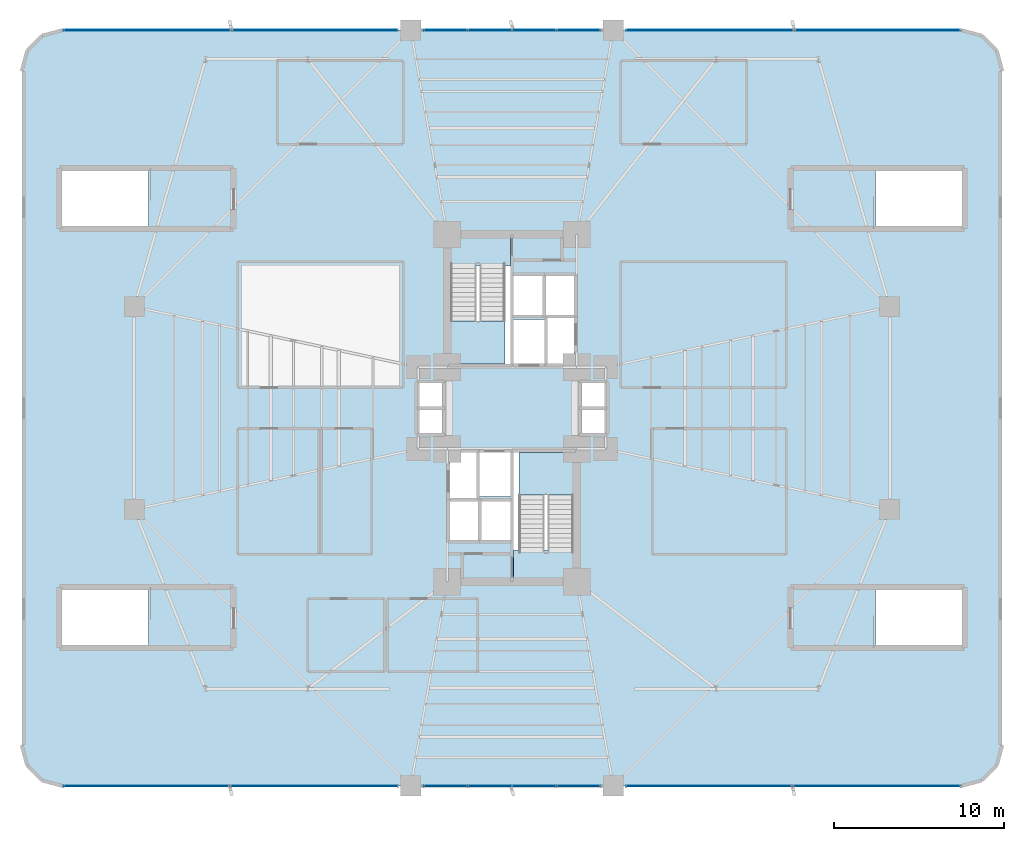
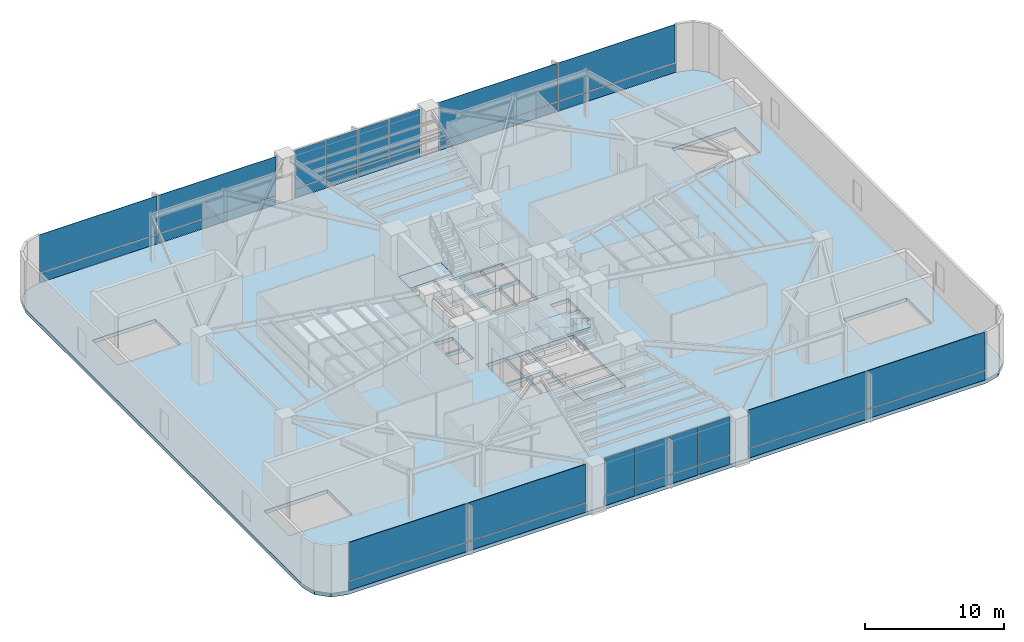
# One storey, part 19 of 26: 32 plates, 5 slabs, 8 elements without a shape of their own.
"""IFC4 building model written with IfcOpenShell, lengths in metres."""

from ifc_helpers import new_model, si_unit, direction, frame, origin, origin_2d, place, context, subcontext, project, spatial, polyline, rectangle, outline, extrude, source, transform, mapped, material, layer, layer_set, type_object, element, aggregate, save


model = new_model("IFC4")

# Units and contexts
model_context = context("Model", 3, precision=1e-05, world=origin(), true_north=direction((0.0, 1.0)))
body_context = subcontext(model_context, "Body", "Model", "MODEL_VIEW")
ifc_project = project(units=[si_unit("LENGTHUNIT", "METRE"), si_unit("AREAUNIT", "SQUARE_METRE"), si_unit("VOLUMEUNIT", "CUBIC_METRE"), si_unit("PLANEANGLEUNIT", "RADIAN"), si_unit("MASSUNIT", "GRAM", prefix="KILO")], contexts=[model_context])

# Site, building, storey
site_placement = place(None, origin())
site = spatial("IfcSite", under=ifc_project, at=site_placement, CompositionType="ELEMENT")
building_placement = place(site_placement, origin())
building = spatial("IfcBuilding", under=site, at=building_placement, Name="Sahyath Konkavel Grand Hotel", CompositionType="ELEMENT")
storey_placement = place(building_placement, frame((0.0, 0.0, 18.60009765625)))
storey = spatial("IfcBuildingStorey", under=building, at=storey_placement, Name="L04", CompositionType="ELEMENT", Elevation=18.60009765625)

# Slab
ifc_material_1 = material(Name="Concrete C50/60", Category="concrete")
ifc_layer_1 = layer(ifc_material_1, 0.320068359375)
ifc_layer_set_1 = layer_set([ifc_layer_1], Name="Concrete C50/60")
slab_type_1 = type_object("IfcSlabType", Name="SLB-320", PredefinedType="FLOOR", material=ifc_layer_set_1)
slab_1_placement = place(storey_placement, frame((0.0, 0.0, -0.320068359375)))
element("IfcSlab", 1, at=slab_1_placement, inside=storey, type_object=slab_type_1, Name="L04 Structural Floor Slab", PredefinedType="FLOOR", context=body_context, shape_type="SweptSolid", body=[
    extrude(outline(polyline([(26.39990234375, -22.199951171875), (27.60009765625, -21.87841796875), (28.478515625, -21.0), (28.800048828125, -19.800048828125), (28.800048828125, 19.800048828125), (28.478515625, 21.0), (27.60009765625, 21.87841796875), (26.39990234375, 22.199951171875), (-26.39990234375, 22.199951171875), (-27.60009765625, 21.87841796875), (-28.478515625, 21.0), (-28.800048828125, 19.800048828125), (-28.800048828125, -19.800048828125), (-28.478515625, -21.0), (-27.60009765625, -21.87841796875), (-26.39990234375, -22.199951171875), (26.39990234375, -22.199951171875)]), holes=[polyline([(-3.6201171875, 2.580078125), (-0.10009765625, 2.580078125), (-0.10009765625, 10.02001953125), (-3.6201171875, 10.02001953125), (-3.6201171875, 2.580078125)]), polyline([(0.10009765625, -10.02001953125), (3.6201171875, -10.02001953125), (3.6201171875, -2.580078125), (0.10009765625, -2.580078125), (0.10009765625, -10.02001953125)]), polyline([(-26.60009765625, 10.52001953125), (-21.35009765625, 10.52001953125), (-21.35009765625, 14.10009765625), (-26.60009765625, 14.10009765625), (-26.60009765625, 10.52001953125)]), polyline([(21.35009765625, 10.52001953125), (26.60009765625, 10.52001953125), (26.60009765625, 14.10009765625), (21.35009765625, 14.10009765625), (21.35009765625, 10.52001953125)]), polyline([(-26.60009765625, -14.10009765625), (-21.35009765625, -14.10009765625), (-21.35009765625, -10.52001953125), (-26.60009765625, -10.52001953125), (-26.60009765625, -14.10009765625)]), polyline([(21.35009765625, -14.10009765625), (26.60009765625, -14.10009765625), (26.60009765625, -10.52001953125), (21.35009765625, -10.52001953125), (21.35009765625, -14.10009765625)]), polyline([(0.10009765625, 2.60009765625), (1.949951171875, 2.60009765625), (1.949951171875, 5.199951171875), (0.10009765625, 5.199951171875), (0.10009765625, 2.60009765625)]), polyline([(-1.949951171875, -5.199951171875), (-0.10009765625, -5.199951171875), (-0.10009765625, -2.60009765625), (-1.949951171875, -2.60009765625), (-1.949951171875, -5.199951171875)]), polyline([(2.050048828125, 2.60009765625), (3.64990234375, 2.60009765625), (3.64990234375, 5.300048828125), (2.050048828125, 5.300048828125), (2.050048828125, 2.60009765625)]), polyline([(-3.64990234375, -5.300048828125), (-2.050048828125, -5.300048828125), (-2.050048828125, -2.60009765625), (-3.64990234375, -2.60009765625), (-3.64990234375, -5.300048828125)]), polyline([(0.10009765625, 5.449951171875), (1.85009765625, 5.449951171875), (1.85009765625, 7.75), (0.10009765625, 7.75), (0.10009765625, 5.449951171875)]), polyline([(1.949951171875, 5.449951171875), (3.64990234375, 5.449951171875), (3.64990234375, 7.75), (1.949951171875, 7.75), (1.949951171875, 5.449951171875)]), polyline([(-3.64990234375, -7.75), (-1.949951171875, -7.75), (-1.949951171875, -5.449951171875), (-3.64990234375, -5.449951171875), (-3.64990234375, -7.75)]), polyline([(-1.85009765625, -7.75), (-0.10009765625, -7.75), (-0.10009765625, -5.449951171875), (-1.85009765625, -5.449951171875), (-1.85009765625, -7.75)]), polyline([(4.050048828125, 0.080078125), (5.550048828125, 0.080078125), (5.550048828125, 1.5400390625), (4.050048828125, 1.5400390625), (4.050048828125, 0.080078125)]), polyline([(4.050048828125, -1.5400390625), (5.550048828125, -1.5400390625), (5.550048828125, -0.080078125), (4.050048828125, -0.080078125), (4.050048828125, -1.5400390625)]), polyline([(-5.550048828125, 0.080078125), (-4.050048828125, 0.080078125), (-4.050048828125, 1.5400390625), (-5.550048828125, 1.5400390625), (-5.550048828125, 0.080078125)]), polyline([(-5.550048828125, -1.5400390625), (-4.050048828125, -1.5400390625), (-4.050048828125, -0.080078125), (-5.550048828125, -0.080078125), (-5.550048828125, -1.5400390625)])]), origin(), (0.0, 0.0, 1.0), 0.320068359375),
])

# Stair, slab
ifc_material_2 = material(Name="Concrete C40/50", Category="concrete")
stair_type = type_object("IfcStairType", Name="STR-ST16-450", PredefinedType="HALF_TURN_STAIR", material=ifc_material_2)
stair_1_placement = place(storey_placement, origin())
stair_1 = element("IfcStair", 2, at=stair_1_placement, inside=storey, type_object=stair_type, Name="L04 North Core Smokeproof Exit Stair ST-1", PredefinedType="HALF_TURN_STAIR")
ifc_layer_2 = layer(ifc_material_2, 0.199951171875)
ifc_layer_set_2 = layer_set([ifc_layer_2], Name="Concrete C40/50")
slab_type_2 = type_object("IfcSlabType", Name="SLB-STAIR-LND", PredefinedType="LANDING", material=ifc_layer_set_2)
slab_2_placement = place(storey_placement, frame((0.0, 0.0, 2.0498046875)))
slab_2 = element("IfcSlab", 3, at=slab_2_placement, type_object=slab_type_2, Name="ST-1 landing 1", PredefinedType="LANDING", context=body_context, shape_type="SweptSolid", body=[
    extrude(outline(polyline([(-3.60009765625, 5.1201171875), (-3.60009765625, 2.60009765625), (-0.39990234375, 2.60009765625), (-0.39990234375, 5.1201171875), (-3.60009765625, 5.1201171875)])), origin(), (0.0, 0.0, 1.0), 0.2001953125),
])
aggregate(stair_1, [slab_2])

stair_2_placement = place(storey_placement, origin())
stair_2 = element("IfcStair", 4, at=stair_2_placement, inside=storey, type_object=stair_type, Name="L04 South Core Smokeproof Exit Stair ST-2", PredefinedType="HALF_TURN_STAIR")
slab_3_placement = place(storey_placement, frame((0.0, 0.0, 2.0498046875)))
slab_3 = element("IfcSlab", 5, at=slab_3_placement, type_object=slab_type_2, Name="ST-2 landing 1", PredefinedType="LANDING", context=body_context, shape_type="SweptSolid", body=[
    extrude(outline(polyline([(3.60009765625, -5.1201171875), (3.60009765625, -2.60009765625), (0.39990234375, -2.60009765625), (0.39990234375, -5.1201171875), (3.60009765625, -5.1201171875)])), origin(), (0.0, 0.0, 1.0), 0.2001953125),
])
aggregate(stair_2, [slab_3])

# Slabs
slab_4_placement = place(storey_placement, frame((0.0, 0.0, -0.2001953125)))
element("IfcSlab", 6, at=slab_4_placement, inside=storey, type_object=slab_type_2, Name="L04 Stair ST-1 Floor Landing Slab", PredefinedType="LANDING", context=body_context, shape_type="SweptSolid", body=[
    extrude(outline(polyline([(-3.6201171875, 8.35009765625), (-0.10009765625, 8.35009765625), (-0.10009765625, 10.02001953125), (-3.6201171875, 10.02001953125), (-3.6201171875, 8.35009765625)])), origin(), (0.0, 0.0, 1.0), 0.2001953125),
])
slab_5_placement = place(storey_placement, frame((0.0, 0.0, -0.2001953125)))
element("IfcSlab", 7, at=slab_5_placement, inside=storey, type_object=slab_type_2, Name="L04 Stair ST-2 Floor Landing Slab", PredefinedType="LANDING", context=body_context, shape_type="SweptSolid", body=[
    extrude(outline(polyline([(0.10009765625, -10.02001953125), (3.6201171875, -10.02001953125), (3.6201171875, -8.35009765625), (0.10009765625, -8.35009765625), (0.10009765625, -10.02001953125)])), origin(), (0.0, 0.0, 1.0), 0.2001953125),
])

# Curtain wall, plates
ifc_material_3 = material(Name="Anodised Bronze Aluminium & Low-E Glazing", Category="aluminium")
curtain_wall_type = type_object("IfcCurtainWallType", Name="CW-PODIUM", PredefinedType="NOTDEFINED", material=ifc_material_3)
curtain_wall_1_placement = place(storey_placement, origin())
curtain_wall_1 = element("IfcCurtainWall", 8, at=curtain_wall_1_placement, inside=storey, type_object=curtain_wall_type, Name="L04 Unitised Curtain Wall N1", PredefinedType="NOTDEFINED")
ifc_material_4 = material(Name="Warm Buff Sandstone Cladding", Category="masonry")
ifc_layer_3 = layer(ifc_material_4, 0.074951171875)
ifc_layer_set_3 = layer_set([ifc_layer_3], Name="Warm Buff Sandstone Cladding")
plate_type_1 = type_object("IfcPlateType", Name="PNL-SPANDREL-STONE", PredefinedType="SHEET", material=ifc_layer_set_3)
shared_shape_1 = source(origin(), body_context, "Body", "SweptSolid", [
    extrude(rectangle(XDim=9.7548828125, YDim=0.074951171875, at=origin_2d()), origin(), (0.0, 0.0, 1.0), 0.77001953125),
])
plate_1_placement = place(storey_placement, frame((21.4423828125, 22.199951171875, 0.039794921875), z_axis=(0.0, 0.0, 1.0), x_axis=(-1.0, 0.0, 0.0)))
plate_1 = element("IfcPlate", 9, at=plate_1_placement, type_object=plate_type_1, Name="L04 Sandstone Relief Spandrel Panel N1-0", PredefinedType="SHEET", context=body_context, shape_type="MappedRepresentation", body=[
    mapped(shared_shape_1, transform((0.0, 0.0, 0.0), scale=1.0)),
])
plate_2_placement = place(storey_placement, frame((11.607421875, 22.199951171875, 0.039794921875), z_axis=(0.0, 0.0, 1.0), x_axis=(-1.0, 0.0, 0.0)))
plate_2 = element("IfcPlate", 10, at=plate_2_placement, type_object=plate_type_1, Name="L04 Sandstone Relief Spandrel Panel N1-1", PredefinedType="SHEET", context=body_context, shape_type="MappedRepresentation", body=[
    mapped(shared_shape_1, transform((0.0, 0.0, 0.0), scale=1.0)),
])

curtain_wall_2_placement = place(storey_placement, origin())
curtain_wall_2 = element("IfcCurtainWall", 11, at=curtain_wall_2_placement, inside=storey, type_object=curtain_wall_type, Name="L04 Unitised Curtain Wall N3", PredefinedType="NOTDEFINED")
plate_3_placement = place(storey_placement, frame((-11.607421875, 22.199951171875, 0.039794921875), z_axis=(0.0, 0.0, 1.0), x_axis=(-1.0, 0.0, 0.0)))
plate_3 = element("IfcPlate", 12, at=plate_3_placement, type_object=plate_type_1, Name="L04 Sandstone Relief Spandrel Panel N3-0", PredefinedType="SHEET", context=body_context, shape_type="MappedRepresentation", body=[
    mapped(shared_shape_1, transform((0.0, 0.0, 0.0), scale=1.0)),
])
plate_4_placement = place(storey_placement, frame((-21.4423828125, 22.199951171875, 0.039794921875), z_axis=(0.0, 0.0, 1.0), x_axis=(-1.0, 0.0, 0.0)))
plate_4 = element("IfcPlate", 13, at=plate_4_placement, type_object=plate_type_1, Name="L04 Sandstone Relief Spandrel Panel N3-1", PredefinedType="SHEET", context=body_context, shape_type="MappedRepresentation", body=[
    mapped(shared_shape_1, transform((0.0, 0.0, 0.0), scale=1.0)),
])

curtain_wall_3_placement = place(storey_placement, origin())
curtain_wall_3 = element("IfcCurtainWall", 14, at=curtain_wall_3_placement, inside=storey, type_object=curtain_wall_type, Name="L04 Unitised Curtain Wall S1", PredefinedType="NOTDEFINED")
plate_5_placement = place(storey_placement, frame((-21.4423828125, -22.199951171875, 0.039794921875), z_axis=(0.0, 0.0, 1.0), x_axis=(1.0, 0.0, 0.0)))
plate_5 = element("IfcPlate", 15, at=plate_5_placement, type_object=plate_type_1, Name="L04 Sandstone Relief Spandrel Panel S1-0", PredefinedType="SHEET", context=body_context, shape_type="MappedRepresentation", body=[
    mapped(shared_shape_1, transform((0.0, 0.0, 0.0), scale=1.0)),
])
plate_6_placement = place(storey_placement, frame((-11.607421875, -22.199951171875, 0.039794921875), z_axis=(0.0, 0.0, 1.0), x_axis=(1.0, 0.0, 0.0)))
plate_6 = element("IfcPlate", 16, at=plate_6_placement, type_object=plate_type_1, Name="L04 Sandstone Relief Spandrel Panel S1-1", PredefinedType="SHEET", context=body_context, shape_type="MappedRepresentation", body=[
    mapped(shared_shape_1, transform((0.0, 0.0, 0.0), scale=1.0)),
])

curtain_wall_4_placement = place(storey_placement, origin())
curtain_wall_4 = element("IfcCurtainWall", 17, at=curtain_wall_4_placement, inside=storey, type_object=curtain_wall_type, Name="L04 Unitised Curtain Wall S3", PredefinedType="NOTDEFINED")
plate_7_placement = place(storey_placement, frame((11.607421875, -22.199951171875, 0.039794921875), z_axis=(0.0, 0.0, 1.0), x_axis=(1.0, 0.0, 0.0)))
plate_7 = element("IfcPlate", 18, at=plate_7_placement, type_object=plate_type_1, Name="L04 Sandstone Relief Spandrel Panel S3-0", PredefinedType="SHEET", context=body_context, shape_type="MappedRepresentation", body=[
    mapped(shared_shape_1, transform((0.0, 0.0, 0.0), scale=1.0)),
])
plate_8_placement = place(storey_placement, frame((21.4423828125, -22.199951171875, 0.039794921875), z_axis=(0.0, 0.0, 1.0), x_axis=(1.0, 0.0, 0.0)))
plate_8 = element("IfcPlate", 19, at=plate_8_placement, type_object=plate_type_1, Name="L04 Sandstone Relief Spandrel Panel S3-1", PredefinedType="SHEET", context=body_context, shape_type="MappedRepresentation", body=[
    mapped(shared_shape_1, transform((0.0, 0.0, 0.0), scale=1.0)),
])

# Plate
ifc_material_5 = material(Name="Low-E Solar Control Double Glazing", Category="glass")
ifc_layer_4 = layer(ifc_material_5, 0.035888671875)
ifc_layer_set_4 = layer_set([ifc_layer_4], Name="Low-E Solar Control Double Glazing")
plate_type_2 = type_object("IfcPlateType", Name="PNL-VISION-LOWE", PredefinedType="CURTAIN_PANEL", material=ifc_layer_set_4)
shared_shape_2 = source(origin(), body_context, "Body", "SweptSolid", [
    extrude(rectangle(XDim=9.7548828125, YDim=0.035888671875, at=origin_2d()), origin(), (0.0, 0.0, 1.0), 3.330078125),
])
plate_9_placement = place(storey_placement, frame((21.4423828125, 22.199951171875, 0.889892578125), z_axis=(0.0, 0.0, 1.0), x_axis=(-1.0, 0.0, 0.0)))
plate_9 = element("IfcPlate", 20, at=plate_9_placement, type_object=plate_type_2, Name="L04 Low-E Vision Glazing Panel N1-0", PredefinedType="CURTAIN_PANEL", context=body_context, shape_type="MappedRepresentation", body=[
    mapped(shared_shape_2, transform((0.0, 0.0, 0.0), scale=1.0)),
])

plate_10_placement = place(storey_placement, frame((11.607421875, 22.199951171875, 0.889892578125), z_axis=(0.0, 0.0, 1.0), x_axis=(-1.0, 0.0, 0.0)))
plate_10 = element("IfcPlate", 21, at=plate_10_placement, type_object=plate_type_2, Name="L04 Low-E Vision Glazing Panel N1-1", PredefinedType="CURTAIN_PANEL", context=body_context, shape_type="MappedRepresentation", body=[
    mapped(shared_shape_2, transform((0.0, 0.0, 0.0), scale=1.0)),
])

aggregate(curtain_wall_1, [plate_1, plate_9, plate_2, plate_10])

plate_11_placement = place(storey_placement, frame((-11.607421875, 22.199951171875, 0.889892578125), z_axis=(0.0, 0.0, 1.0), x_axis=(-1.0, 0.0, 0.0)))
plate_11 = element("IfcPlate", 22, at=plate_11_placement, type_object=plate_type_2, Name="L04 Low-E Vision Glazing Panel N3-0", PredefinedType="CURTAIN_PANEL", context=body_context, shape_type="MappedRepresentation", body=[
    mapped(shared_shape_2, transform((0.0, 0.0, 0.0), scale=1.0)),
])

plate_12_placement = place(storey_placement, frame((-21.4423828125, 22.199951171875, 0.889892578125), z_axis=(0.0, 0.0, 1.0), x_axis=(-1.0, 0.0, 0.0)))
plate_12 = element("IfcPlate", 23, at=plate_12_placement, type_object=plate_type_2, Name="L04 Low-E Vision Glazing Panel N3-1", PredefinedType="CURTAIN_PANEL", context=body_context, shape_type="MappedRepresentation", body=[
    mapped(shared_shape_2, transform((0.0, 0.0, 0.0), scale=1.0)),
])

aggregate(curtain_wall_2, [plate_3, plate_11, plate_4, plate_12])

plate_13_placement = place(storey_placement, frame((-21.4423828125, -22.199951171875, 0.889892578125), z_axis=(0.0, 0.0, 1.0), x_axis=(1.0, 0.0, 0.0)))
plate_13 = element("IfcPlate", 24, at=plate_13_placement, type_object=plate_type_2, Name="L04 Low-E Vision Glazing Panel S1-0", PredefinedType="CURTAIN_PANEL", context=body_context, shape_type="MappedRepresentation", body=[
    mapped(shared_shape_2, transform((0.0, 0.0, 0.0), scale=1.0)),
])

plate_14_placement = place(storey_placement, frame((-11.607421875, -22.199951171875, 0.889892578125), z_axis=(0.0, 0.0, 1.0), x_axis=(1.0, 0.0, 0.0)))
plate_14 = element("IfcPlate", 25, at=plate_14_placement, type_object=plate_type_2, Name="L04 Low-E Vision Glazing Panel S1-1", PredefinedType="CURTAIN_PANEL", context=body_context, shape_type="MappedRepresentation", body=[
    mapped(shared_shape_2, transform((0.0, 0.0, 0.0), scale=1.0)),
])

aggregate(curtain_wall_3, [plate_5, plate_13, plate_6, plate_14])

plate_15_placement = place(storey_placement, frame((11.607421875, -22.199951171875, 0.889892578125), z_axis=(0.0, 0.0, 1.0), x_axis=(1.0, 0.0, 0.0)))
plate_15 = element("IfcPlate", 26, at=plate_15_placement, type_object=plate_type_2, Name="L04 Low-E Vision Glazing Panel S3-0", PredefinedType="CURTAIN_PANEL", context=body_context, shape_type="MappedRepresentation", body=[
    mapped(shared_shape_2, transform((0.0, 0.0, 0.0), scale=1.0)),
])

plate_16_placement = place(storey_placement, frame((21.4423828125, -22.199951171875, 0.889892578125), z_axis=(0.0, 0.0, 1.0), x_axis=(1.0, 0.0, 0.0)))
plate_16 = element("IfcPlate", 27, at=plate_16_placement, type_object=plate_type_2, Name="L04 Low-E Vision Glazing Panel S3-1", PredefinedType="CURTAIN_PANEL", context=body_context, shape_type="MappedRepresentation", body=[
    mapped(shared_shape_2, transform((0.0, 0.0, 0.0), scale=1.0)),
])

aggregate(curtain_wall_4, [plate_7, plate_15, plate_8, plate_16])

# Curtain wall, plates
curtain_wall_5_placement = place(storey_placement, origin())
curtain_wall_5 = element("IfcCurtainWall", 28, at=curtain_wall_5_placement, inside=storey, type_object=curtain_wall_type, Name="L04 Unitised Curtain Wall N2", PredefinedType="NOTDEFINED")
shared_shape_3 = source(origin(), body_context, "Body", "SweptSolid", [
    extrude(rectangle(XDim=2.52490234375, YDim=0.074951171875, at=origin_2d()), origin(), (0.0, 0.0, 1.0), 0.77001953125),
])
plate_17_placement = place(storey_placement, frame((3.907470703125, 22.199951171875, 0.039794921875), z_axis=(0.0, 0.0, 1.0), x_axis=(-1.0, 0.0, 0.0)))
plate_17 = element("IfcPlate", 29, at=plate_17_placement, type_object=plate_type_1, Name="L04 Sandstone Relief Spandrel Panel N2-0", PredefinedType="SHEET", context=body_context, shape_type="MappedRepresentation", body=[
    mapped(shared_shape_3, transform((0.0, 0.0, 0.0), scale=1.0)),
])
plate_18_placement = place(storey_placement, frame((1.302490234375, 22.199951171875, 0.039794921875), z_axis=(0.0, 0.0, 1.0), x_axis=(-1.0, 0.0, 0.0)))
plate_18 = element("IfcPlate", 30, at=plate_18_placement, type_object=plate_type_1, Name="L04 Sandstone Relief Spandrel Panel N2-1", PredefinedType="SHEET", context=body_context, shape_type="MappedRepresentation", body=[
    mapped(shared_shape_3, transform((0.0, 0.0, 0.0), scale=1.0)),
])
plate_19_placement = place(storey_placement, frame((-1.302490234375, 22.199951171875, 0.039794921875), z_axis=(0.0, 0.0, 1.0), x_axis=(-1.0, 0.0, 0.0)))
plate_19 = element("IfcPlate", 31, at=plate_19_placement, type_object=plate_type_1, Name="L04 Sandstone Relief Spandrel Panel N2-2", PredefinedType="SHEET", context=body_context, shape_type="MappedRepresentation", body=[
    mapped(shared_shape_3, transform((0.0, 0.0, 0.0), scale=1.0)),
])
plate_20_placement = place(storey_placement, frame((-3.907470703125, 22.199951171875, 0.039794921875), z_axis=(0.0, 0.0, 1.0), x_axis=(-1.0, 0.0, 0.0)))
plate_20 = element("IfcPlate", 32, at=plate_20_placement, type_object=plate_type_1, Name="L04 Sandstone Relief Spandrel Panel N2-3", PredefinedType="SHEET", context=body_context, shape_type="MappedRepresentation", body=[
    mapped(shared_shape_3, transform((0.0, 0.0, 0.0), scale=1.0)),
])

curtain_wall_6_placement = place(storey_placement, origin())
curtain_wall_6 = element("IfcCurtainWall", 33, at=curtain_wall_6_placement, inside=storey, type_object=curtain_wall_type, Name="L04 Unitised Curtain Wall S2", PredefinedType="NOTDEFINED")
plate_21_placement = place(storey_placement, frame((-3.907470703125, -22.199951171875, 0.039794921875), z_axis=(0.0, 0.0, 1.0), x_axis=(1.0, 0.0, 0.0)))
plate_21 = element("IfcPlate", 34, at=plate_21_placement, type_object=plate_type_1, Name="L04 Sandstone Relief Spandrel Panel S2-0", PredefinedType="SHEET", context=body_context, shape_type="MappedRepresentation", body=[
    mapped(shared_shape_3, transform((0.0, 0.0, 0.0), scale=1.0)),
])
plate_22_placement = place(storey_placement, frame((-1.302490234375, -22.199951171875, 0.039794921875), z_axis=(0.0, 0.0, 1.0), x_axis=(1.0, 0.0, 0.0)))
plate_22 = element("IfcPlate", 35, at=plate_22_placement, type_object=plate_type_1, Name="L04 Sandstone Relief Spandrel Panel S2-1", PredefinedType="SHEET", context=body_context, shape_type="MappedRepresentation", body=[
    mapped(shared_shape_3, transform((0.0, 0.0, 0.0), scale=1.0)),
])
plate_23_placement = place(storey_placement, frame((1.302490234375, -22.199951171875, 0.039794921875), z_axis=(0.0, 0.0, 1.0), x_axis=(1.0, 0.0, 0.0)))
plate_23 = element("IfcPlate", 36, at=plate_23_placement, type_object=plate_type_1, Name="L04 Sandstone Relief Spandrel Panel S2-2", PredefinedType="SHEET", context=body_context, shape_type="MappedRepresentation", body=[
    mapped(shared_shape_3, transform((0.0, 0.0, 0.0), scale=1.0)),
])
plate_24_placement = place(storey_placement, frame((3.907470703125, -22.199951171875, 0.039794921875), z_axis=(0.0, 0.0, 1.0), x_axis=(1.0, 0.0, 0.0)))
plate_24 = element("IfcPlate", 37, at=plate_24_placement, type_object=plate_type_1, Name="L04 Sandstone Relief Spandrel Panel S2-3", PredefinedType="SHEET", context=body_context, shape_type="MappedRepresentation", body=[
    mapped(shared_shape_3, transform((0.0, 0.0, 0.0), scale=1.0)),
])

# Plate
shared_shape_4 = source(origin(), body_context, "Body", "SweptSolid", [
    extrude(rectangle(XDim=2.52490234375, YDim=0.035888671875, at=origin_2d()), origin(), (0.0, 0.0, 1.0), 3.330078125),
])
plate_25_placement = place(storey_placement, frame((3.907470703125, 22.199951171875, 0.889892578125), z_axis=(0.0, 0.0, 1.0), x_axis=(-1.0, 0.0, 0.0)))
plate_25 = element("IfcPlate", 38, at=plate_25_placement, type_object=plate_type_2, Name="L04 Low-E Vision Glazing Panel N2-0", PredefinedType="CURTAIN_PANEL", context=body_context, shape_type="MappedRepresentation", body=[
    mapped(shared_shape_4, transform((0.0, 0.0, 0.0), scale=1.0)),
])

plate_26_placement = place(storey_placement, frame((1.302490234375, 22.199951171875, 0.889892578125), z_axis=(0.0, 0.0, 1.0), x_axis=(-1.0, 0.0, 0.0)))
plate_26 = element("IfcPlate", 39, at=plate_26_placement, type_object=plate_type_2, Name="L04 Low-E Vision Glazing Panel N2-1", PredefinedType="CURTAIN_PANEL", context=body_context, shape_type="MappedRepresentation", body=[
    mapped(shared_shape_4, transform((0.0, 0.0, 0.0), scale=1.0)),
])

plate_27_placement = place(storey_placement, frame((-1.302490234375, 22.199951171875, 0.889892578125), z_axis=(0.0, 0.0, 1.0), x_axis=(-1.0, 0.0, 0.0)))
plate_27 = element("IfcPlate", 40, at=plate_27_placement, type_object=plate_type_2, Name="L04 Low-E Vision Glazing Panel N2-2", PredefinedType="CURTAIN_PANEL", context=body_context, shape_type="MappedRepresentation", body=[
    mapped(shared_shape_4, transform((0.0, 0.0, 0.0), scale=1.0)),
])

plate_28_placement = place(storey_placement, frame((-3.907470703125, 22.199951171875, 0.889892578125), z_axis=(0.0, 0.0, 1.0), x_axis=(-1.0, 0.0, 0.0)))
plate_28 = element("IfcPlate", 41, at=plate_28_placement, type_object=plate_type_2, Name="L04 Low-E Vision Glazing Panel N2-3", PredefinedType="CURTAIN_PANEL", context=body_context, shape_type="MappedRepresentation", body=[
    mapped(shared_shape_4, transform((0.0, 0.0, 0.0), scale=1.0)),
])

aggregate(curtain_wall_5, [plate_17, plate_25, plate_18, plate_26, plate_19, plate_27, plate_20, plate_28])

plate_29_placement = place(storey_placement, frame((-3.907470703125, -22.199951171875, 0.889892578125), z_axis=(0.0, 0.0, 1.0), x_axis=(1.0, 0.0, 0.0)))
plate_29 = element("IfcPlate", 42, at=plate_29_placement, type_object=plate_type_2, Name="L04 Low-E Vision Glazing Panel S2-0", PredefinedType="CURTAIN_PANEL", context=body_context, shape_type="MappedRepresentation", body=[
    mapped(shared_shape_4, transform((0.0, 0.0, 0.0), scale=1.0)),
])

plate_30_placement = place(storey_placement, frame((-1.302490234375, -22.199951171875, 0.889892578125), z_axis=(0.0, 0.0, 1.0), x_axis=(1.0, 0.0, 0.0)))
plate_30 = element("IfcPlate", 43, at=plate_30_placement, type_object=plate_type_2, Name="L04 Low-E Vision Glazing Panel S2-1", PredefinedType="CURTAIN_PANEL", context=body_context, shape_type="MappedRepresentation", body=[
    mapped(shared_shape_4, transform((0.0, 0.0, 0.0), scale=1.0)),
])

plate_31_placement = place(storey_placement, frame((1.302490234375, -22.199951171875, 0.889892578125), z_axis=(0.0, 0.0, 1.0), x_axis=(1.0, 0.0, 0.0)))
plate_31 = element("IfcPlate", 44, at=plate_31_placement, type_object=plate_type_2, Name="L04 Low-E Vision Glazing Panel S2-2", PredefinedType="CURTAIN_PANEL", context=body_context, shape_type="MappedRepresentation", body=[
    mapped(shared_shape_4, transform((0.0, 0.0, 0.0), scale=1.0)),
])

plate_32_placement = place(storey_placement, frame((3.907470703125, -22.199951171875, 0.889892578125), z_axis=(0.0, 0.0, 1.0), x_axis=(1.0, 0.0, 0.0)))
plate_32 = element("IfcPlate", 45, at=plate_32_placement, type_object=plate_type_2, Name="L04 Low-E Vision Glazing Panel S2-3", PredefinedType="CURTAIN_PANEL", context=body_context, shape_type="MappedRepresentation", body=[
    mapped(shared_shape_4, transform((0.0, 0.0, 0.0), scale=1.0)),
])

aggregate(curtain_wall_6, [plate_21, plate_29, plate_22, plate_30, plate_23, plate_31, plate_24, plate_32])

save(model, "model.ifc")
